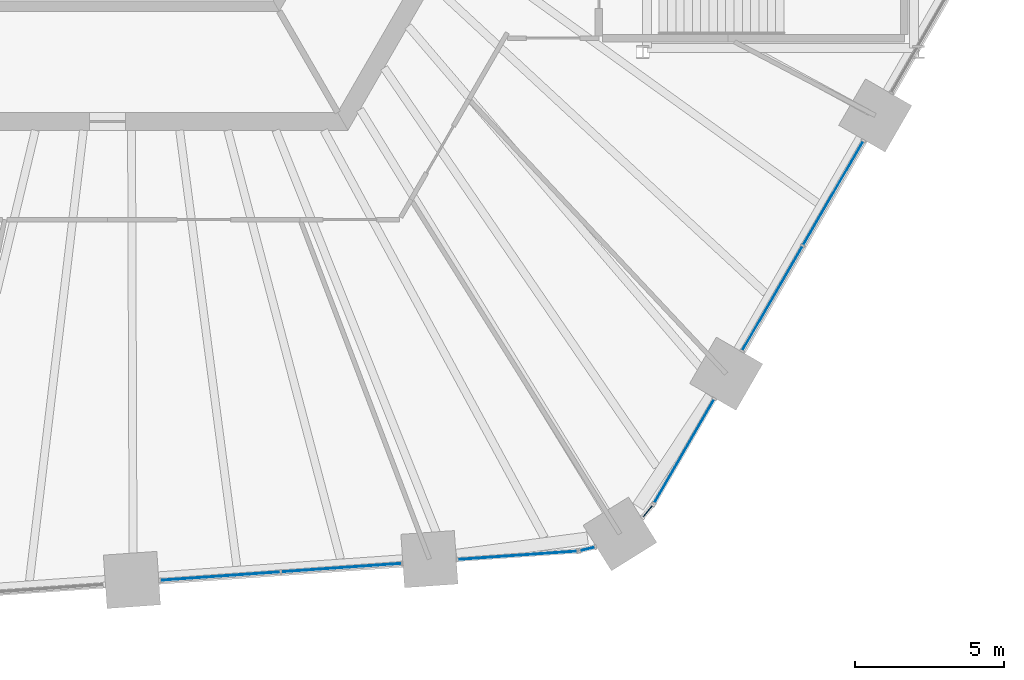
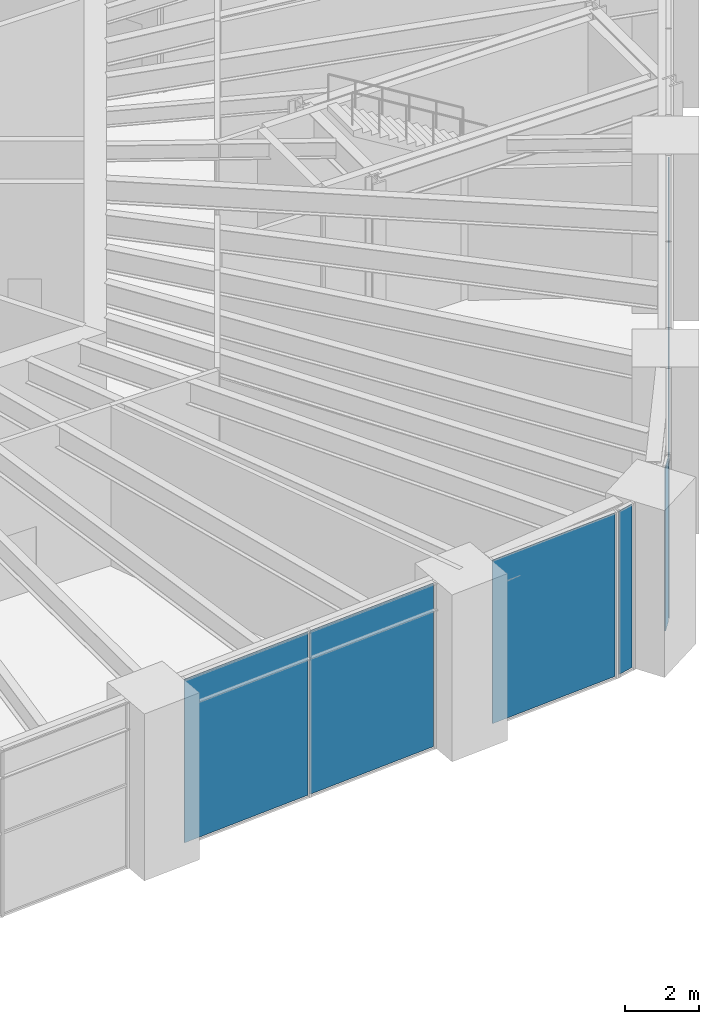
# One storey, part 16 of 30: 8 plates, 6 elements without a shape of their own.
"""IFC4 building model written with IfcOpenShell, lengths in metres."""

import ifcopenshell
import ifcopenshell.guid

model = None  # the IFC model being written
_history = None  # IfcOwnerHistory: only IFC2X3 demands one
_inside = {}  # id of a spatial element -> (the spatial element, [elements in it])
_under = {}  # id of a project, library or spatial element -> (it, [spatial elements below it])
_declared = {}  # id of a project -> (the project, [libraries it declares])
_typed = {}  # id of a type object -> (the type object, [elements of that type])
_made_of = {}  # id of a material, layer set ... -> (it, [elements and type objects made of it])


def new_model(schema):
    """Start an empty IFC model of exactly this schema.

    Asked for "IFC4X3", IfcOpenShell would pick the latest addendum, in which some entities
    have other attributes; the version numbers below select the first issue.
    IFC2X3 requires an IfcOwnerHistory on every rooted entity: one is made here for all.
    """
    global model, _history
    if schema == "IFC4X3":
        model = ifcopenshell.file(schema_version=(4, 3, 0, 0))
    else:
        model = ifcopenshell.file(schema=schema)
    _inside.clear()
    _under.clear()
    _declared.clear()
    _typed.clear()
    _made_of.clear()
    _history = None
    if model.schema == "IFC2X3":
        org = make("IfcOrganization", Name="unknown")
        user = make(
            "IfcPersonAndOrganization",
            ThePerson=make("IfcPerson", FamilyName="unknown"),
            TheOrganization=org,
        )
        app = make(
            "IfcApplication",
            ApplicationDeveloper=org,
            Version="unknown",
            ApplicationFullName="unknown",
            ApplicationIdentifier="unknown",
        )
        _history = make(
            "IfcOwnerHistory",
            OwningUser=user,
            OwningApplication=app,
            ChangeAction="ADDED",
            CreationDate=0,
        )
    return model


def make(cls, **values):
    """One entity of the class cls with the attributes given. An attribute that is None is left unset."""
    return model.create_entity(
        cls, **{name: value for name, value in values.items() if value is not None}
    )


def rooted(cls, **values):
    """An entity with a GlobalId (a new one), such as an element, a storey or a relation."""
    return make(cls, GlobalId=ifcopenshell.guid.new(), OwnerHistory=_history, **values)


def si_unit(unit_type, name, prefix=None):
    """IfcSIUnit, for example si_unit("LENGTHUNIT", "METRE", prefix="MILLI")."""
    return make("IfcSIUnit", UnitType=unit_type, Prefix=prefix, Name=name)


def assignment(units):
    """IfcUnitAssignment: the units of a project."""
    return None if units is None else make("IfcUnitAssignment", Units=units)


def point(xyz):
    """IfcCartesianPoint."""
    return None if xyz is None else make("IfcCartesianPoint", Coordinates=xyz)


def direction(xyz):
    """IfcDirection."""
    return None if xyz is None else make("IfcDirection", DirectionRatios=xyz)


def frame(location, z_axis=None, x_axis=None):
    """IfcAxis2Placement3D, a coordinate frame: its origin and axes. An axis left out is left unset."""
    return make(
        "IfcAxis2Placement3D",
        Location=point(location),
        Axis=direction(z_axis),
        RefDirection=direction(x_axis),
    )


def frame_2d(location, x_axis=None):
    """IfcAxis2Placement2D, a coordinate frame in the plane: its origin and x axis."""
    return make(
        "IfcAxis2Placement2D", Location=point(location), RefDirection=direction(x_axis)
    )


def origin():
    """The frame at (0, 0, 0) with its axes left unset."""
    return frame((0.0, 0.0, 0.0))


def origin_2d():
    """The frame at (0, 0) in the plane with its x axis left unset."""
    return frame_2d((0.0, 0.0))


def place(relative_to, where):
    """IfcLocalPlacement: puts the frame where relative to a parent placement (None: the world)."""
    return make(
        "IfcLocalPlacement", PlacementRelTo=relative_to, RelativePlacement=where
    )


def context(
    kind, dimensions, precision=None, world=None, true_north=None, identifier=None
):
    """IfcGeometricRepresentationContext, for example the 3D "Model" context."""
    return make(
        "IfcGeometricRepresentationContext",
        ContextIdentifier=identifier,
        ContextType=kind,
        CoordinateSpaceDimension=dimensions,
        Precision=precision,
        WorldCoordinateSystem=world,
        TrueNorth=true_north,
    )


def subcontext(parent, identifier, kind, view, scale=None):
    """IfcGeometricRepresentationSubContext, for example "Body" below "Model"."""
    return make(
        "IfcGeometricRepresentationSubContext",
        ContextIdentifier=identifier,
        ContextType=kind,
        ParentContext=parent,
        TargetScale=scale,
        TargetView=view,
    )


def project(units=None, contexts=None):
    """IfcProject with its units and contexts."""
    return rooted(
        "IfcProject",
        Name="project",
        RepresentationContexts=contexts,
        UnitsInContext=assignment(units),
    )


def spatial(cls, under=None, at=None, **own):
    """A site, building, storey or space (cls), placed at a placement, below another one or the project."""
    s = rooted(cls, ObjectPlacement=at, **own)
    if under is not None:
        _under.setdefault(under.id(), (under, []))[1].append(s)
    return s


def profile(cls, at=None, kind="AREA", **sizes):
    """A parametric profile (cls). Its sizes go by their IFC names, for example OverallWidth=200.0."""
    return make(cls, ProfileType=kind, Position=at, **sizes)


def rectangle(**sizes):
    """IfcRectangleProfileDef."""
    return profile("IfcRectangleProfileDef", **sizes)


def extrude(swept, where, along, depth):
    """IfcExtrudedAreaSolid: the profile swept, set in the frame where, extruded along a direction by depth."""
    return make(
        "IfcExtrudedAreaSolid",
        SweptArea=swept,
        Position=where,
        ExtrudedDirection=direction(along),
        Depth=depth,
    )


def shape(context_of_items, identifier, shape_type, items):
    """IfcShapeRepresentation: the items that make up one representation, for example the "Body"."""
    return make(
        "IfcShapeRepresentation",
        ContextOfItems=context_of_items,
        RepresentationIdentifier=identifier,
        RepresentationType=shape_type,
        Items=items,
    )


def material(Name=None, Category=None):
    """IfcMaterial."""
    return make("IfcMaterial", Name=Name, Category=Category)


def layer(
    of_material, thickness, ventilated=None, Name=None, Category=None, Priority=None
):
    """IfcMaterialLayer: one layer of a wall or slab, of a material (None: an air gap)."""
    return make(
        "IfcMaterialLayer",
        Material=of_material,
        LayerThickness=thickness,
        IsVentilated=ventilated,
        Name=Name,
        Category=Category,
        Priority=Priority,
    )


def layer_set(layers, Name=None):
    """IfcMaterialLayerSet."""
    return make("IfcMaterialLayerSet", MaterialLayers=layers, LayerSetName=Name)


def made_of(thing, what):
    """Note that an element or type object is made of a material, layer set ...; save() writes the relation."""
    if what is not None:
        _made_of.setdefault(what.id(), (what, []))[1].append(thing)
    return thing


def type_object(cls, material=None, **own):
    """A type object (cls), such as IfcWallType, which elements share."""
    return made_of(rooted(cls, **own), material)


def element(
    cls,
    number,
    at=None,
    inside=None,
    cuts=None,
    type_object=None,
    material=None,
    context=None,
    identifier="Body",
    shape_type=None,
    held_by="IfcProductDefinitionShape",
    body=None,
    shapes=None,
    **own,
):
    """One element of the class cls, such as IfcWall. Its Tag is "e" and its number.

    at: its placement. inside: the storey or other place that contains it. cuts: it is an
    opening in that element (IfcRelVoidsElement). A single representation is given by context,
    identifier, shape_type and body (its items); several are given by shapes. held_by: the class
    of the entity that holds the representations. save() writes the other relations.
    """
    e = rooted(cls, Tag="e%d" % number, ObjectPlacement=at, **own)
    if body is not None:
        shapes = [shape(context, identifier, shape_type, body)]
    if shapes is not None:
        e.Representation = make(held_by, Representations=shapes)
    if inside is not None:
        _inside.setdefault(inside.id(), (inside, []))[1].append(e)
    if cuts is not None:
        rooted(
            "IfcRelVoidsElement", RelatingBuildingElement=cuts, RelatedOpeningElement=e
        )
    if type_object is not None:
        _typed.setdefault(type_object.id(), (type_object, []))[1].append(e)
    return made_of(e, material)


def aggregate(whole, parts):
    """IfcRelAggregates: a whole, such as a stair, and the parts it consists of."""
    return rooted("IfcRelAggregates", RelatingObject=whole, RelatedObjects=parts)


def save(model, path):
    """Write the relations noted so far, then the file.

    IfcRelAggregates (storeys below a building ...), IfcRelContainedInSpatialStructure (elements
    in a storey), IfcRelDefinesByType, IfcRelAssociatesMaterial and IfcRelDeclares: one each for
    every whole, place, type object, material and project.
    """
    for whole, parts in _under.values():
        aggregate(whole, parts)
    for where, things in _inside.values():
        rooted(
            "IfcRelContainedInSpatialStructure",
            RelatedElements=things,
            RelatingStructure=where,
        )
    for kind, things in _typed.values():
        rooted("IfcRelDefinesByType", RelatedObjects=things, RelatingType=kind)
    for what, things in _made_of.values():
        rooted("IfcRelAssociatesMaterial", RelatedObjects=things, RelatingMaterial=what)
    for by, libraries in _declared.values():
        rooted("IfcRelDeclares", RelatingContext=by, RelatedDefinitions=libraries)
    model.write(path)


model = new_model("IFC4")

# Units and contexts
model_context = context("Model", 3, precision=1e-05, world=origin(), true_north=direction((0.0, 1.0)))
body_context = subcontext(model_context, "Body", "Model", "MODEL_VIEW")
ifc_project = project(units=[si_unit("LENGTHUNIT", "METRE"), si_unit("AREAUNIT", "SQUARE_METRE"), si_unit("VOLUMEUNIT", "CUBIC_METRE"), si_unit("PLANEANGLEUNIT", "RADIAN"), si_unit("MASSUNIT", "GRAM", prefix="KILO")], contexts=[model_context])

# Site, building, storey
site_placement = place(None, origin())
site = spatial("IfcSite", under=ifc_project, at=site_placement, CompositionType="ELEMENT")
building_placement = place(site_placement, origin())
building = spatial("IfcBuilding", under=site, at=building_placement, Name="Tarnside Tower", CompositionType="ELEMENT")
storey_placement = place(building_placement, frame((0.0, 0.0, 15.0)))
storey = spatial("IfcBuildingStorey", under=building, at=storey_placement, Name="L02", CompositionType="ELEMENT", Elevation=15.0)

# Curtain wall, plates
ifc_material_1 = material(Name="Retail shopfront glazing wall", Category="glass")
curtain_wall_type = type_object("IfcCurtainWallType", Name="Retail shopfront glazing wall", PredefinedType="NOTDEFINED", material=ifc_material_1)
curtain_wall_1_placement = place(storey_placement, origin())
curtain_wall_1 = element("IfcCurtainWall", 1, at=curtain_wall_1_placement, inside=storey, type_object=curtain_wall_type, Name="Retail shopfront glazing L02 13.0", PredefinedType="NOTDEFINED")
ifc_material_2 = material(Name="Low-iron safety glass", Category="glass")
ifc_layer = layer(ifc_material_2, 0.028076171875)
ifc_layer_set = layer_set([ifc_layer], Name="Retail shopfront glazing panel 28")
plate_type = type_object("IfcPlateType", Name="Retail shopfront glazing panel 28", PredefinedType="CURTAIN_PANEL", material=ifc_layer_set)
plate_1_placement = place(storey_placement, frame((3.791015625, -28.986083984375, -0.18994140625), z_axis=(0.0, 0.0, 1.0), x_axis=(0.997564050257, 0.069756473779, 0.0)))
plate_1 = element("IfcPlate", 2, at=plate_1_placement, type_object=plate_type, Name="CW2 panel 1.1", PredefinedType="CURTAIN_PANEL", context=body_context, shape_type="SweptSolid", body=[
    extrude(rectangle(XDim=4.021728515625, YDim=0.028076171875, at=origin_2d()), origin(), (0.0, 0.0, 1.0), 5.3798828125),
])
plate_2_placement = place(storey_placement, frame((7.863037109375, -28.701416015625, -0.18994140625), z_axis=(0.0, 0.0, 1.0), x_axis=(0.997564050257, 0.069756473779, 0.0)))
plate_2 = element("IfcPlate", 3, at=plate_2_placement, type_object=plate_type, Name="CW2 panel 2.1", PredefinedType="CURTAIN_PANEL", context=body_context, shape_type="SweptSolid", body=[
    extrude(rectangle(XDim=4.021728515625, YDim=0.028076171875, at=origin_2d()), origin(), (0.0, 0.0, 1.0), 5.3798828125),
])
aggregate(curtain_wall_1, [plate_1, plate_2])

# Curtain wall, plate
curtain_wall_2_placement = place(storey_placement, origin())
curtain_wall_2 = element("IfcCurtainWall", 4, at=curtain_wall_2_placement, inside=storey, type_object=curtain_wall_type, Name="Retail shopfront glazing L02 14.0", PredefinedType="NOTDEFINED")
plate_3_placement = place(storey_placement, frame((13.775390625, -28.2880859375, -0.18994140625), z_axis=(0.0, 0.0, 1.0), x_axis=(0.997564050248, 0.069756473918, 0.0)))
plate_3 = element("IfcPlate", 5, at=plate_3_placement, type_object=plate_type, Name="CW2 panel 1.1", PredefinedType="CURTAIN_PANEL", context=body_context, shape_type="SweptSolid", body=[
    extrude(rectangle(XDim=3.991943359375, YDim=0.028076171875, at=origin_2d()), origin(), (0.0, 0.0, 1.0), 5.3798828125),
])
aggregate(curtain_wall_2, [plate_3])

curtain_wall_3_placement = place(storey_placement, origin())
curtain_wall_3 = element("IfcCurtainWall", 6, at=curtain_wall_3_placement, inside=storey, type_object=curtain_wall_type, Name="Retail shopfront glazing L02 14.1", PredefinedType="NOTDEFINED")
plate_4_placement = place(storey_placement, frame((16.135009765625, -28.072509765625, -0.18994140625), z_axis=(0.0, 0.0, 1.0), x_axis=(0.973044870489, 0.230615871127, 0.0)))
plate_4 = element("IfcPlate", 7, at=plate_4_placement, type_object=plate_type, Name="CW2 panel 1.1", PredefinedType="CURTAIN_PANEL", context=body_context, shape_type="SweptSolid", body=[
    extrude(rectangle(XDim=0.48828125, YDim=0.028076171875, at=origin_2d()), origin(), (0.0, 0.0, 1.0), 5.3798828125),
])
aggregate(curtain_wall_3, [plate_4])

curtain_wall_4_placement = place(storey_placement, origin())
curtain_wall_4 = element("IfcCurtainWall", 8, at=curtain_wall_4_placement, inside=storey, type_object=curtain_wall_type, Name="Retail shopfront glazing L02 15.0", PredefinedType="NOTDEFINED")
plate_5_placement = place(storey_placement, frame((18.158203125, -26.808349609375, -0.18994140625), z_axis=(0.0, 0.0, 1.0), x_axis=(0.633830966989, 0.77347159307, 0.0)))
plate_5 = element("IfcPlate", 9, at=plate_5_placement, type_object=plate_type, Name="CW2 panel 1.1", PredefinedType="CURTAIN_PANEL", context=body_context, shape_type="SweptSolid", body=[
    extrude(rectangle(XDim=0.48828125, YDim=0.028076171875, at=origin_2d()), origin(), (0.0, 0.0, 1.0), 5.3798828125),
])
aggregate(curtain_wall_4, [plate_5])

curtain_wall_5_placement = place(storey_placement, origin())
curtain_wall_5 = element("IfcCurtainWall", 10, at=curtain_wall_5_placement, inside=storey, type_object=curtain_wall_type, Name="Retail shopfront glazing L02 15.1", PredefinedType="NOTDEFINED")
plate_6_placement = place(storey_placement, frame((19.386474609375, -24.78173828125, -0.18994140625), z_axis=(0.0, 0.0, 1.0), x_axis=(0.50000000003, 0.866025403767, 0.0)))
plate_6 = element("IfcPlate", 11, at=plate_6_placement, type_object=plate_type, Name="CW2 panel 1.1", PredefinedType="CURTAIN_PANEL", context=body_context, shape_type="SweptSolid", body=[
    extrude(rectangle(XDim=3.991943359375, YDim=0.028076171875, at=origin_2d()), origin(), (0.0, 0.0, 1.0), 5.3798828125),
])
aggregate(curtain_wall_5, [plate_6])

# Curtain wall, plates
curtain_wall_6_placement = place(storey_placement, origin())
curtain_wall_6 = element("IfcCurtainWall", 12, at=curtain_wall_6_placement, inside=storey, type_object=curtain_wall_type, Name="Retail shopfront glazing L02 16.0", PredefinedType="NOTDEFINED")
plate_7_placement = place(storey_placement, frame((22.349853515625, -19.64892578125, -0.18994140625), z_axis=(0.0, 0.0, 1.0), x_axis=(0.49999999994, 0.866025403819, 0.0)))
plate_7 = element("IfcPlate", 13, at=plate_7_placement, type_object=plate_type, Name="CW2 panel 1.1", PredefinedType="CURTAIN_PANEL", context=body_context, shape_type="SweptSolid", body=[
    extrude(rectangle(XDim=4.021728515625, YDim=0.028076171875, at=origin_2d()), origin(), (0.0, 0.0, 1.0), 5.3798828125),
])
plate_8_placement = place(storey_placement, frame((24.390625, -16.114013671875, -0.18994140625), z_axis=(0.0, 0.0, 1.0), x_axis=(0.49999999994, 0.866025403819, 0.0)))
plate_8 = element("IfcPlate", 14, at=plate_8_placement, type_object=plate_type, Name="CW2 panel 2.1", PredefinedType="CURTAIN_PANEL", context=body_context, shape_type="SweptSolid", body=[
    extrude(rectangle(XDim=4.021728515625, YDim=0.028076171875, at=origin_2d()), origin(), (0.0, 0.0, 1.0), 5.3798828125),
])
aggregate(curtain_wall_6, [plate_7, plate_8])

save(model, "model.ifc")
